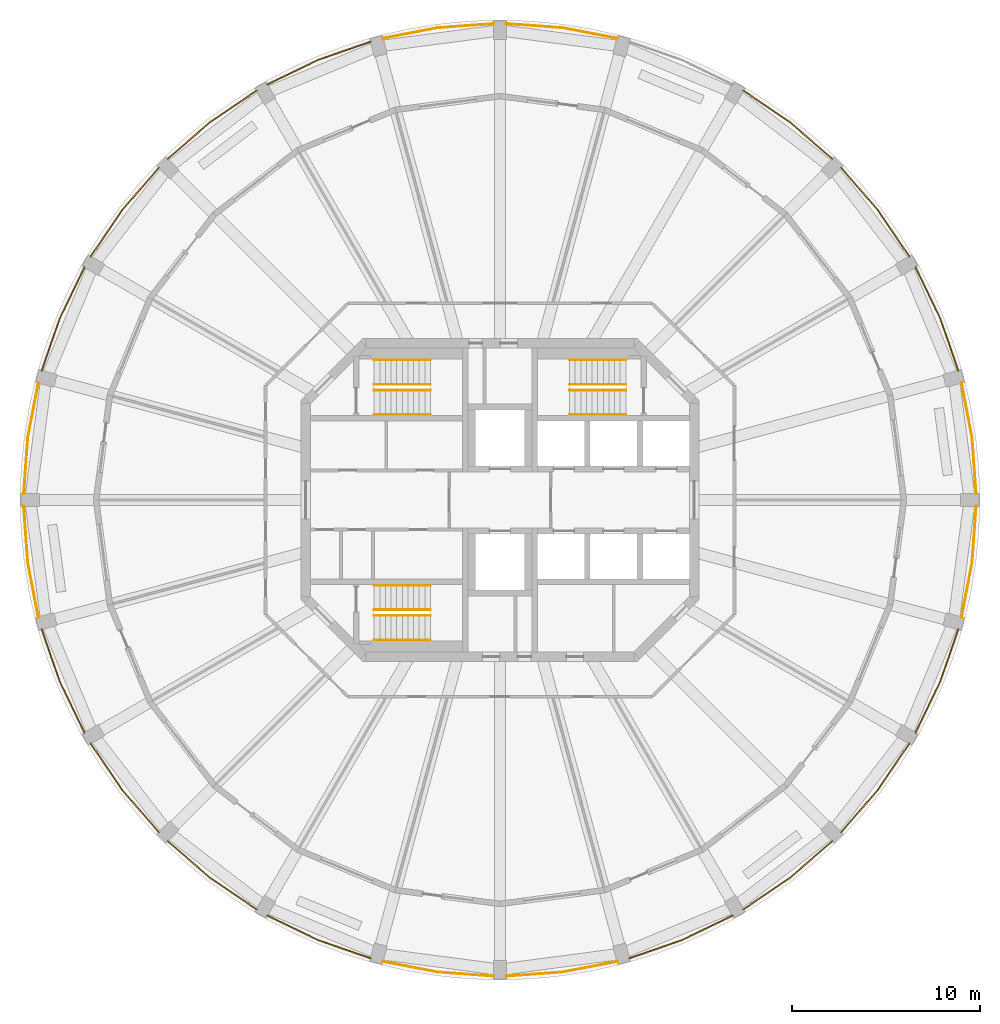
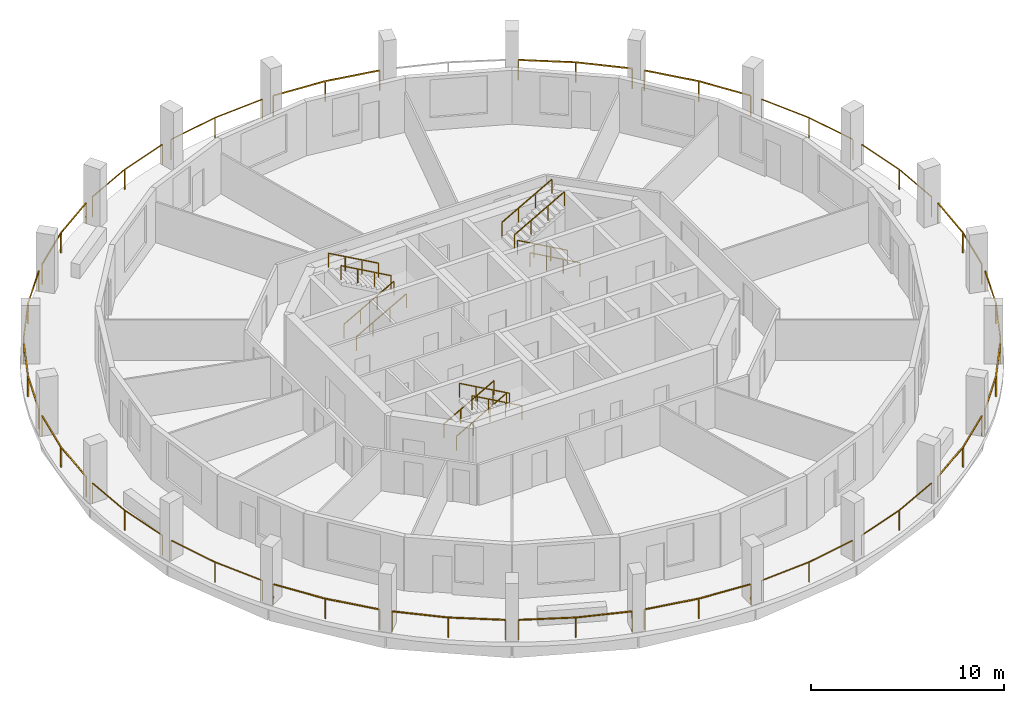
# One storey, part 7 of 8: 35 railings.
"""IFC4 building model written with IfcOpenShell, lengths in metres."""

from ifc_helpers import new_model, si_unit, direction, frame, origin, origin_2d, place, context, subcontext, project, spatial, rectangle, extrude, material, type_object, element, save


model = new_model("IFC4")

# Units and contexts
model_context = context("Model", 3, precision=1e-05, world=origin(), true_north=direction((0.0, 1.0)))
body_context = subcontext(model_context, "Body", "Model", "MODEL_VIEW")
ifc_project = project(units=[si_unit("LENGTHUNIT", "METRE"), si_unit("AREAUNIT", "SQUARE_METRE"), si_unit("VOLUMEUNIT", "CUBIC_METRE"), si_unit("PLANEANGLEUNIT", "RADIAN"), si_unit("MASSUNIT", "GRAM", prefix="KILO")], contexts=[model_context])

# Site, building, storey
site_placement = place(None, origin())
site = spatial("IfcSite", under=ifc_project, at=site_placement, CompositionType="ELEMENT")
building_placement = place(site_placement, origin())
building = spatial("IfcBuilding", under=site, at=building_placement, Name="Torre Triforio", CompositionType="ELEMENT")
storey_placement = place(building_placement, frame((0.0, 0.0, 283.39990234375)))
storey = spatial("IfcBuildingStorey", under=building, at=storey_placement, Name="L65", CompositionType="ELEMENT", Elevation=283.39990234375)

# Railings
ifc_material = material(Name="Stainless steel AISI 316", Category="steel")
railing_type_1 = type_object("IfcRailingType", Name="HANDRAIL 920", PredefinedType="HANDRAIL", material=ifc_material)
for number, where, name in (
    (1, (-6.699951171875, 4.550048828125, 0.168212890625), "Handrail ST1"),
    (2, (-6.699951171875, 5.85009765625, 0.168212890625), "Handrail ST1"),
):
    element("IfcRailing", number, at=place(storey_placement, frame(where)), inside=storey, type_object=railing_type_1, Name=name, PredefinedType="HANDRAIL", context=body_context, shape_type="SweptSolid", body=[
        extrude(rectangle(XDim=0.048095703125, YDim=0.048095703125, at=origin_2d()), frame((0.0, 0.0, 0.89599609375), z_axis=(0.872272294576, 0.0, 0.489020494575), x_axis=(0.0, 1.0, 0.0)), (0.0, 0.0, 1.0), 3.439208984375),
        extrude(rectangle(XDim=0.0419921875, YDim=0.0419921875, at=origin_2d()), origin(), (0.0, 0.0, 1.0), 0.871826171875),
        extrude(rectangle(XDim=0.0419921875, YDim=0.0419921875, at=origin_2d()), frame((1.0, 0.0, 0.560546875)), (0.0, 0.0, 1.0), 0.871826171875),
        extrude(rectangle(XDim=0.0419921875, YDim=0.0419921875, at=origin_2d()), frame((2.0, 0.0, 1.121337890625)), (0.0, 0.0, 1.0), 0.871826171875),
        extrude(rectangle(XDim=0.0419921875, YDim=0.0419921875, at=origin_2d()), frame((3.0, 0.0, 1.681884765625)), (0.0, 0.0, 1.0), 0.871826171875),
    ])
for number, where, name in (
    (3, (-3.699951171875, 7.449951171875, 2.018310546875), "Handrail ST1"),
    (4, (-3.699951171875, 6.14990234375, 2.018310546875), "Handrail ST1"),
    (5, (6.699951171875, 4.550048828125, 0.168212890625), "Handrail ST2"),
    (6, (6.699951171875, 5.85009765625, 0.168212890625), "Handrail ST2"),
):
    element("IfcRailing", number, at=place(storey_placement, frame(where)), inside=storey, type_object=railing_type_1, Name=name, PredefinedType="HANDRAIL", context=body_context, shape_type="SweptSolid", body=[
        extrude(rectangle(XDim=0.048095703125, YDim=0.048095703125, at=origin_2d()), frame((0.0, 0.0, 0.89599609375), z_axis=(-0.872272294576, 0.0, 0.489020494575), x_axis=(0.0, -1.0, 0.0)), (0.0, 0.0, 1.0), 3.439208984375),
        extrude(rectangle(XDim=0.0419921875, YDim=0.0419921875, at=origin_2d()), origin(), (0.0, 0.0, 1.0), 0.871826171875),
        extrude(rectangle(XDim=0.0419921875, YDim=0.0419921875, at=origin_2d()), frame((-1.0, 0.0, 0.560546875)), (0.0, 0.0, 1.0), 0.871826171875),
        extrude(rectangle(XDim=0.0419921875, YDim=0.0419921875, at=origin_2d()), frame((-2.0, 0.0, 1.121337890625)), (0.0, 0.0, 1.0), 0.871826171875),
        extrude(rectangle(XDim=0.0419921875, YDim=0.0419921875, at=origin_2d()), frame((-3.0, 0.0, 1.681884765625)), (0.0, 0.0, 1.0), 0.871826171875),
    ])
for number, where, name in (
    (7, (3.699951171875, 7.449951171875, 2.018310546875), "Handrail ST2"),
    (8, (3.699951171875, 6.14990234375, 2.018310546875), "Handrail ST2"),
    (9, (-6.699951171875, -4.550048828125, 0.168212890625), "Handrail ST3"),
    (10, (-6.699951171875, -5.85009765625, 0.168212890625), "Handrail ST3"),
):
    element("IfcRailing", number, at=place(storey_placement, frame(where)), inside=storey, type_object=railing_type_1, Name=name, PredefinedType="HANDRAIL", context=body_context, shape_type="SweptSolid", body=[
        extrude(rectangle(XDim=0.048095703125, YDim=0.048095703125, at=origin_2d()), frame((0.0, 0.0, 0.89599609375), z_axis=(0.872272294576, 0.0, 0.489020494575), x_axis=(0.0, 1.0, 0.0)), (0.0, 0.0, 1.0), 3.439208984375),
        extrude(rectangle(XDim=0.0419921875, YDim=0.0419921875, at=origin_2d()), origin(), (0.0, 0.0, 1.0), 0.871826171875),
        extrude(rectangle(XDim=0.0419921875, YDim=0.0419921875, at=origin_2d()), frame((1.0, 0.0, 0.560546875)), (0.0, 0.0, 1.0), 0.871826171875),
        extrude(rectangle(XDim=0.0419921875, YDim=0.0419921875, at=origin_2d()), frame((2.0, 0.0, 1.121337890625)), (0.0, 0.0, 1.0), 0.871826171875),
        extrude(rectangle(XDim=0.0419921875, YDim=0.0419921875, at=origin_2d()), frame((3.0, 0.0, 1.681884765625)), (0.0, 0.0, 1.0), 0.871826171875),
    ])
for number, where, name in (
    (11, (-3.699951171875, -7.449951171875, 2.018310546875), "Handrail ST3"),
    (12, (-3.699951171875, -6.14990234375, 2.018310546875), "Handrail ST3"),
):
    element("IfcRailing", number, at=place(storey_placement, frame(where)), inside=storey, type_object=railing_type_1, Name=name, PredefinedType="HANDRAIL", context=body_context, shape_type="SweptSolid", body=[
        extrude(rectangle(XDim=0.048095703125, YDim=0.048095703125, at=origin_2d()), frame((0.0, 0.0, 0.89599609375), z_axis=(-0.872272294576, 0.0, 0.489020494575), x_axis=(0.0, -1.0, 0.0)), (0.0, 0.0, 1.0), 3.439208984375),
        extrude(rectangle(XDim=0.0419921875, YDim=0.0419921875, at=origin_2d()), origin(), (0.0, 0.0, 1.0), 0.871826171875),
        extrude(rectangle(XDim=0.0419921875, YDim=0.0419921875, at=origin_2d()), frame((-1.0, 0.0, 0.560546875)), (0.0, 0.0, 1.0), 0.871826171875),
        extrude(rectangle(XDim=0.0419921875, YDim=0.0419921875, at=origin_2d()), frame((-2.0, 0.0, 1.121337890625)), (0.0, 0.0, 1.0), 0.871826171875),
        extrude(rectangle(XDim=0.0419921875, YDim=0.0419921875, at=origin_2d()), frame((-3.0, 0.0, 1.681884765625)), (0.0, 0.0, 1.0), 0.871826171875),
    ])
railing_type_2 = type_object("IfcRailingType", Name="Loggia guard 1300", PredefinedType="GUARDRAIL", material=ifc_material)
railing_1_placement = place(storey_placement, frame((25.35009765625, 0.320068359375, 0.0)))
element("IfcRailing", 13, at=railing_1_placement, inside=storey, type_object=railing_type_2, Name="Loggia guard L65 bay 01", PredefinedType="GUARDRAIL", context=body_context, shape_type="SweptSolid", body=[
    extrude(rectangle(XDim=0.050048828125, YDim=0.050048828125, at=origin_2d()), frame((0.0, 0.0, 1.27490234375), z_axis=(-0.072428129451, 0.997373634133, 0.0), x_axis=(-0.997373634133, -0.072428129451, 0.0)), (0.0, 0.0, 1.0), 2.99658203125),
    extrude(rectangle(XDim=0.050048828125, YDim=0.050048828125, at=origin_2d()), frame((-0.217041015625, 2.98876953125, 1.27490234375), z_axis=(-0.18819767745, 0.98213116955, 0.0), x_axis=(-0.98213116955, -0.18819767745, 0.0)), (0.0, 0.0, 1.0), 2.99658203125),
    extrude(rectangle(XDim=0.0400390625, YDim=0.0400390625, at=origin_2d()), origin(), (0.0, 0.0, 1.0), 1.25),
    extrude(rectangle(XDim=0.0400390625, YDim=0.0400390625, at=origin_2d()), frame((-0.217041015625, 2.98876953125, 0.0)), (0.0, 0.0, 1.0), 1.25),
    extrude(rectangle(XDim=0.0400390625, YDim=0.0400390625, at=origin_2d()), frame((-0.781005859375, 5.931884765625, 0.0)), (0.0, 0.0, 1.0), 1.25),
])
railing_2_placement = place(storey_placement, frame((24.4033203125, 6.8701171875, 0.0)))
element("IfcRailing", 14, at=railing_2_placement, inside=storey, type_object=railing_type_2, Name="Loggia guard L65 bay 02", PredefinedType="GUARDRAIL", context=body_context, shape_type="SweptSolid", body=[
    extrude(rectangle(XDim=0.050048828125, YDim=0.050048828125, at=origin_2d()), frame((0.0, 0.0, 1.27490234375), z_axis=(-0.328008659518, 0.944674716123, 0.0), x_axis=(-0.944674716123, -0.328008659518, 0.0)), (0.0, 0.0, 1.0), 2.99658203125),
    extrude(rectangle(XDim=0.050048828125, YDim=0.050048828125, at=origin_2d()), frame((-0.98291015625, 2.830810546875, 1.27490234375), z_axis=(-0.43600165335, 0.899945864081, 0.0), x_axis=(-0.899945864081, -0.43600165335, 0.0)), (0.0, 0.0, 1.0), 2.996826171875),
    extrude(rectangle(XDim=0.0400390625, YDim=0.0400390625, at=origin_2d()), origin(), (0.0, 0.0, 1.0), 1.25),
    extrude(rectangle(XDim=0.0400390625, YDim=0.0400390625, at=origin_2d()), frame((-0.98291015625, 2.830810546875, 0.0)), (0.0, 0.0, 1.0), 1.25),
    extrude(rectangle(XDim=0.0400390625, YDim=0.0400390625, at=origin_2d()), frame((-2.28955078125, 5.52783203125, 0.0)), (0.0, 0.0, 1.0), 1.25),
])
railing_3_placement = place(storey_placement, frame((21.793701171875, 12.9521484375, 0.0)))
element("IfcRailing", 15, at=railing_3_placement, inside=storey, type_object=railing_type_2, Name="Loggia guard L65 bay 03", PredefinedType="GUARDRAIL", context=body_context, shape_type="SweptSolid", body=[
    extrude(rectangle(XDim=0.050048828125, YDim=0.050048828125, at=origin_2d()), frame((0.0, 0.0, 1.27490234375), z_axis=(-0.561338037643, 0.82758661631, 0.0), x_axis=(-0.82758661631, -0.561338037643, 0.0)), (0.0, 0.0, 1.0), 2.99658203125),
    extrude(rectangle(XDim=0.050048828125, YDim=0.050048828125, at=origin_2d()), frame((-1.68212890625, 2.47998046875, 1.27490234375), z_axis=(-0.65409272915, 0.756414371673, 0.0), x_axis=(-0.756414371673, -0.65409272915, 0.0)), (0.0, 0.0, 1.0), 2.996826171875),
    extrude(rectangle(XDim=0.0400390625, YDim=0.0400390625, at=origin_2d()), origin(), (0.0, 0.0, 1.0), 1.25),
    extrude(rectangle(XDim=0.0400390625, YDim=0.0400390625, at=origin_2d()), frame((-1.68212890625, 2.47998046875, 0.0)), (0.0, 0.0, 1.0), 1.25),
    extrude(rectangle(XDim=0.0400390625, YDim=0.0400390625, at=origin_2d()), frame((-3.642333984375, 4.746826171875, 0.0)), (0.0, 0.0, 1.0), 1.25),
])
railing_4_placement = place(storey_placement, frame((17.698974609375, 18.1513671875, 0.0)))
element("IfcRailing", 16, at=railing_4_placement, inside=storey, type_object=railing_type_2, Name="Loggia guard L65 bay 04", PredefinedType="GUARDRAIL", context=body_context, shape_type="SweptSolid", body=[
    extrude(rectangle(XDim=0.050048828125, YDim=0.050048828125, at=origin_2d()), frame((0.0, 0.0, 1.27490234375), z_axis=(-0.756414371673, 0.65409272915, 0.0), x_axis=(-0.65409272915, -0.756414371673, 0.0)), (0.0, 0.0, 1.0), 2.996826171875),
    extrude(rectangle(XDim=0.050048828125, YDim=0.050048828125, at=origin_2d()), frame((-2.266845703125, 1.960205078125, 1.27490234375), z_axis=(-0.82758661631, 0.561338037643, 0.0), x_axis=(-0.561338037643, -0.82758661631, 0.0)), (0.0, 0.0, 1.0), 2.99658203125),
    extrude(rectangle(XDim=0.0400390625, YDim=0.0400390625, at=origin_2d()), origin(), (0.0, 0.0, 1.0), 1.25),
    extrude(rectangle(XDim=0.0400390625, YDim=0.0400390625, at=origin_2d()), frame((-2.266845703125, 1.960205078125, 0.0)), (0.0, 0.0, 1.0), 1.25),
    extrude(rectangle(XDim=0.0400390625, YDim=0.0400390625, at=origin_2d()), frame((-4.746826171875, 3.642333984375, 0.0)), (0.0, 0.0, 1.0), 1.25),
])
railing_5_placement = place(storey_placement, frame((6.251953125, 24.569091796875, 0.0)))
element("IfcRailing", 17, at=railing_5_placement, inside=storey, type_object=railing_type_2, Name="Loggia guard L65 bay 06", PredefinedType="GUARDRAIL", context=body_context, shape_type="SweptSolid", body=[
    extrude(rectangle(XDim=0.050048828125, YDim=0.050048828125, at=origin_2d()), frame((0.0, 0.0, 1.27490234375), z_axis=(-0.98213116955, 0.18819767745, 0.0), x_axis=(-0.18819767745, -0.98213116955, 0.0)), (0.0, 0.0, 1.0), 2.99658203125),
    extrude(rectangle(XDim=0.050048828125, YDim=0.050048828125, at=origin_2d()), frame((-2.943115234375, 0.56396484375, 1.27490234375), z_axis=(-0.997373634133, 0.072428129451, 0.0), x_axis=(-0.072428129451, -0.997373634133, 0.0)), (0.0, 0.0, 1.0), 2.99658203125),
    extrude(rectangle(XDim=0.0400390625, YDim=0.0400390625, at=origin_2d()), origin(), (0.0, 0.0, 1.0), 1.25),
    extrude(rectangle(XDim=0.0400390625, YDim=0.0400390625, at=origin_2d()), frame((-2.943115234375, 0.56396484375, 0.0)), (0.0, 0.0, 1.0), 1.25),
    extrude(rectangle(XDim=0.0400390625, YDim=0.0400390625, at=origin_2d()), frame((-5.931884765625, 0.781005859375, 0.0)), (0.0, 0.0, 1.0), 1.25),
])
railing_6_placement = place(storey_placement, frame((-0.320068359375, 25.35009765625, 0.0)))
element("IfcRailing", 18, at=railing_6_placement, inside=storey, type_object=railing_type_2, Name="Loggia guard L65 bay 07", PredefinedType="GUARDRAIL", context=body_context, shape_type="SweptSolid", body=[
    extrude(rectangle(XDim=0.050048828125, YDim=0.050048828125, at=origin_2d()), frame((0.0, 0.0, 1.27490234375), z_axis=(-0.997373634133, -0.072428129451, 0.0), x_axis=(0.072428129451, -0.997373634133, 0.0)), (0.0, 0.0, 1.0), 2.99658203125),
    extrude(rectangle(XDim=0.050048828125, YDim=0.050048828125, at=origin_2d()), frame((-2.98876953125, -0.217041015625, 1.27490234375), z_axis=(-0.98213116955, -0.18819767745, 0.0), x_axis=(0.18819767745, -0.98213116955, 0.0)), (0.0, 0.0, 1.0), 2.99658203125),
    extrude(rectangle(XDim=0.0400390625, YDim=0.0400390625, at=origin_2d()), origin(), (0.0, 0.0, 1.0), 1.25),
    extrude(rectangle(XDim=0.0400390625, YDim=0.0400390625, at=origin_2d()), frame((-2.98876953125, -0.217041015625, 0.0)), (0.0, 0.0, 1.0), 1.25),
    extrude(rectangle(XDim=0.0400390625, YDim=0.0400390625, at=origin_2d()), frame((-5.931884765625, -0.781005859375, 0.0)), (0.0, 0.0, 1.0), 1.25),
])
railing_7_placement = place(storey_placement, frame((-6.8701171875, 24.4033203125, 0.0)))
element("IfcRailing", 19, at=railing_7_placement, inside=storey, type_object=railing_type_2, Name="Loggia guard L65 bay 08", PredefinedType="GUARDRAIL", context=body_context, shape_type="SweptSolid", body=[
    extrude(rectangle(XDim=0.050048828125, YDim=0.050048828125, at=origin_2d()), frame((0.0, 0.0, 1.27490234375), z_axis=(-0.944674716123, -0.328008659518, 0.0), x_axis=(0.328008659518, -0.944674716123, 0.0)), (0.0, 0.0, 1.0), 2.99658203125),
    extrude(rectangle(XDim=0.050048828125, YDim=0.050048828125, at=origin_2d()), frame((-2.830810546875, -0.98291015625, 1.27490234375), z_axis=(-0.899945864081, -0.43600165335, 0.0), x_axis=(0.43600165335, -0.899945864081, 0.0)), (0.0, 0.0, 1.0), 2.996826171875),
    extrude(rectangle(XDim=0.0400390625, YDim=0.0400390625, at=origin_2d()), origin(), (0.0, 0.0, 1.0), 1.25),
    extrude(rectangle(XDim=0.0400390625, YDim=0.0400390625, at=origin_2d()), frame((-2.830810546875, -0.98291015625, 0.0)), (0.0, 0.0, 1.0), 1.25),
    extrude(rectangle(XDim=0.0400390625, YDim=0.0400390625, at=origin_2d()), frame((-5.52783203125, -2.28955078125, 0.0)), (0.0, 0.0, 1.0), 1.25),
])
railing_8_placement = place(storey_placement, frame((-12.9521484375, 21.793701171875, 0.0)))
element("IfcRailing", 20, at=railing_8_placement, inside=storey, type_object=railing_type_2, Name="Loggia guard L65 bay 09", PredefinedType="GUARDRAIL", context=body_context, shape_type="SweptSolid", body=[
    extrude(rectangle(XDim=0.050048828125, YDim=0.050048828125, at=origin_2d()), frame((0.0, 0.0, 1.27490234375), z_axis=(-0.82758661631, -0.561338037643, 0.0), x_axis=(0.561338037643, -0.82758661631, 0.0)), (0.0, 0.0, 1.0), 2.99658203125),
    extrude(rectangle(XDim=0.050048828125, YDim=0.050048828125, at=origin_2d()), frame((-2.47998046875, -1.68212890625, 1.27490234375), z_axis=(-0.756414371673, -0.65409272915, 0.0), x_axis=(0.65409272915, -0.756414371673, 0.0)), (0.0, 0.0, 1.0), 2.996826171875),
    extrude(rectangle(XDim=0.0400390625, YDim=0.0400390625, at=origin_2d()), origin(), (0.0, 0.0, 1.0), 1.25),
    extrude(rectangle(XDim=0.0400390625, YDim=0.0400390625, at=origin_2d()), frame((-2.47998046875, -1.68212890625, 0.0)), (0.0, 0.0, 1.0), 1.25),
    extrude(rectangle(XDim=0.0400390625, YDim=0.0400390625, at=origin_2d()), frame((-4.746826171875, -3.642333984375, 0.0)), (0.0, 0.0, 1.0), 1.25),
])
railing_9_placement = place(storey_placement, frame((-18.1513671875, 17.698974609375, 0.0)))
element("IfcRailing", 21, at=railing_9_placement, inside=storey, type_object=railing_type_2, Name="Loggia guard L65 bay 10", PredefinedType="GUARDRAIL", context=body_context, shape_type="SweptSolid", body=[
    extrude(rectangle(XDim=0.050048828125, YDim=0.050048828125, at=origin_2d()), frame((0.0, 0.0, 1.27490234375), z_axis=(-0.65409272915, -0.756414371673, 0.0), x_axis=(0.756414371673, -0.65409272915, 0.0)), (0.0, 0.0, 1.0), 2.996826171875),
    extrude(rectangle(XDim=0.050048828125, YDim=0.050048828125, at=origin_2d()), frame((-1.960205078125, -2.266845703125, 1.27490234375), z_axis=(-0.561338037643, -0.82758661631, 0.0), x_axis=(0.82758661631, -0.561338037643, 0.0)), (0.0, 0.0, 1.0), 2.99658203125),
    extrude(rectangle(XDim=0.0400390625, YDim=0.0400390625, at=origin_2d()), origin(), (0.0, 0.0, 1.0), 1.25),
    extrude(rectangle(XDim=0.0400390625, YDim=0.0400390625, at=origin_2d()), frame((-1.960205078125, -2.266845703125, 0.0)), (0.0, 0.0, 1.0), 1.25),
    extrude(rectangle(XDim=0.0400390625, YDim=0.0400390625, at=origin_2d()), frame((-3.642333984375, -4.746826171875, 0.0)), (0.0, 0.0, 1.0), 1.25),
])
railing_10_placement = place(storey_placement, frame((-22.11376953125, 12.39794921875, 0.0)))
element("IfcRailing", 22, at=railing_10_placement, inside=storey, type_object=railing_type_2, Name="Loggia guard L65 bay 11", PredefinedType="GUARDRAIL", context=body_context, shape_type="SweptSolid", body=[
    extrude(rectangle(XDim=0.050048828125, YDim=0.050048828125, at=origin_2d()), frame((0.0, 0.0, 1.27490234375), z_axis=(-0.43600165335, -0.899945864081, 0.0), x_axis=(0.899945864081, -0.43600165335, 0.0)), (0.0, 0.0, 1.0), 2.996826171875),
    extrude(rectangle(XDim=0.050048828125, YDim=0.050048828125, at=origin_2d()), frame((-1.306640625, -2.697021484375, 1.27490234375), z_axis=(-0.328008659518, -0.944674716123, 0.0), x_axis=(0.944674716123, -0.328008659518, 0.0)), (0.0, 0.0, 1.0), 2.99658203125),
    extrude(rectangle(XDim=0.0400390625, YDim=0.0400390625, at=origin_2d()), origin(), (0.0, 0.0, 1.0), 1.25),
    extrude(rectangle(XDim=0.0400390625, YDim=0.0400390625, at=origin_2d()), frame((-1.306640625, -2.697021484375, 0.0)), (0.0, 0.0, 1.0), 1.25),
    extrude(rectangle(XDim=0.0400390625, YDim=0.0400390625, at=origin_2d()), frame((-2.28955078125, -5.52783203125, 0.0)), (0.0, 0.0, 1.0), 1.25),
])
railing_11_placement = place(storey_placement, frame((-24.569091796875, 6.251953125, 0.0)))
element("IfcRailing", 23, at=railing_11_placement, inside=storey, type_object=railing_type_2, Name="Loggia guard L65 bay 12", PredefinedType="GUARDRAIL", context=body_context, shape_type="SweptSolid", body=[
    extrude(rectangle(XDim=0.050048828125, YDim=0.050048828125, at=origin_2d()), frame((0.0, 0.0, 1.27490234375), z_axis=(-0.18819767745, -0.98213116955, 0.0), x_axis=(0.98213116955, -0.18819767745, 0.0)), (0.0, 0.0, 1.0), 2.99658203125),
    extrude(rectangle(XDim=0.050048828125, YDim=0.050048828125, at=origin_2d()), frame((-0.56396484375, -2.943115234375, 1.27490234375), z_axis=(-0.072428129451, -0.997373634133, 0.0), x_axis=(0.997373634133, -0.072428129451, 0.0)), (0.0, 0.0, 1.0), 2.99658203125),
    extrude(rectangle(XDim=0.0400390625, YDim=0.0400390625, at=origin_2d()), origin(), (0.0, 0.0, 1.0), 1.25),
    extrude(rectangle(XDim=0.0400390625, YDim=0.0400390625, at=origin_2d()), frame((-0.56396484375, -2.943115234375, 0.0)), (0.0, 0.0, 1.0), 1.25),
    extrude(rectangle(XDim=0.0400390625, YDim=0.0400390625, at=origin_2d()), frame((-0.781005859375, -5.931884765625, 0.0)), (0.0, 0.0, 1.0), 1.25),
])
railing_12_placement = place(storey_placement, frame((-25.35009765625, -0.320068359375, 0.0)))
element("IfcRailing", 24, at=railing_12_placement, inside=storey, type_object=railing_type_2, Name="Loggia guard L65 bay 13", PredefinedType="GUARDRAIL", context=body_context, shape_type="SweptSolid", body=[
    extrude(rectangle(XDim=0.050048828125, YDim=0.050048828125, at=origin_2d()), frame((0.0, 0.0, 1.27490234375), z_axis=(0.072428129451, -0.997373634133, 0.0), x_axis=(0.997373634133, 0.072428129451, 0.0)), (0.0, 0.0, 1.0), 2.99658203125),
    extrude(rectangle(XDim=0.050048828125, YDim=0.050048828125, at=origin_2d()), frame((0.217041015625, -2.98876953125, 1.27490234375), z_axis=(0.18819767745, -0.98213116955, 0.0), x_axis=(0.98213116955, 0.18819767745, 0.0)), (0.0, 0.0, 1.0), 2.99658203125),
    extrude(rectangle(XDim=0.0400390625, YDim=0.0400390625, at=origin_2d()), origin(), (0.0, 0.0, 1.0), 1.25),
    extrude(rectangle(XDim=0.0400390625, YDim=0.0400390625, at=origin_2d()), frame((0.217041015625, -2.98876953125, 0.0)), (0.0, 0.0, 1.0), 1.25),
    extrude(rectangle(XDim=0.0400390625, YDim=0.0400390625, at=origin_2d()), frame((0.781005859375, -5.931884765625, 0.0)), (0.0, 0.0, 1.0), 1.25),
])
railing_13_placement = place(storey_placement, frame((-24.4033203125, -6.8701171875, 0.0)))
element("IfcRailing", 25, at=railing_13_placement, inside=storey, type_object=railing_type_2, Name="Loggia guard L65 bay 14", PredefinedType="GUARDRAIL", context=body_context, shape_type="SweptSolid", body=[
    extrude(rectangle(XDim=0.050048828125, YDim=0.050048828125, at=origin_2d()), frame((0.0, 0.0, 1.27490234375), z_axis=(0.328008659518, -0.944674716123, 0.0), x_axis=(0.944674716123, 0.328008659518, 0.0)), (0.0, 0.0, 1.0), 2.99658203125),
    extrude(rectangle(XDim=0.050048828125, YDim=0.050048828125, at=origin_2d()), frame((0.98291015625, -2.830810546875, 1.27490234375), z_axis=(0.43600165335, -0.899945864081, 0.0), x_axis=(0.899945864081, 0.43600165335, 0.0)), (0.0, 0.0, 1.0), 2.996826171875),
    extrude(rectangle(XDim=0.0400390625, YDim=0.0400390625, at=origin_2d()), origin(), (0.0, 0.0, 1.0), 1.25),
    extrude(rectangle(XDim=0.0400390625, YDim=0.0400390625, at=origin_2d()), frame((0.98291015625, -2.830810546875, 0.0)), (0.0, 0.0, 1.0), 1.25),
    extrude(rectangle(XDim=0.0400390625, YDim=0.0400390625, at=origin_2d()), frame((2.28955078125, -5.52783203125, 0.0)), (0.0, 0.0, 1.0), 1.25),
])
railing_14_placement = place(storey_placement, frame((-21.793701171875, -12.9521484375, 0.0)))
element("IfcRailing", 26, at=railing_14_placement, inside=storey, type_object=railing_type_2, Name="Loggia guard L65 bay 15", PredefinedType="GUARDRAIL", context=body_context, shape_type="SweptSolid", body=[
    extrude(rectangle(XDim=0.050048828125, YDim=0.050048828125, at=origin_2d()), frame((0.0, 0.0, 1.27490234375), z_axis=(0.561338037643, -0.82758661631, 0.0), x_axis=(0.82758661631, 0.561338037643, 0.0)), (0.0, 0.0, 1.0), 2.99658203125),
    extrude(rectangle(XDim=0.050048828125, YDim=0.050048828125, at=origin_2d()), frame((1.68212890625, -2.47998046875, 1.27490234375), z_axis=(0.65409272915, -0.756414371673, 0.0), x_axis=(0.756414371673, 0.65409272915, 0.0)), (0.0, 0.0, 1.0), 2.996826171875),
    extrude(rectangle(XDim=0.0400390625, YDim=0.0400390625, at=origin_2d()), origin(), (0.0, 0.0, 1.0), 1.25),
    extrude(rectangle(XDim=0.0400390625, YDim=0.0400390625, at=origin_2d()), frame((1.68212890625, -2.47998046875, 0.0)), (0.0, 0.0, 1.0), 1.25),
    extrude(rectangle(XDim=0.0400390625, YDim=0.0400390625, at=origin_2d()), frame((3.642333984375, -4.746826171875, 0.0)), (0.0, 0.0, 1.0), 1.25),
])
railing_15_placement = place(storey_placement, frame((-17.698974609375, -18.1513671875, 0.0)))
element("IfcRailing", 27, at=railing_15_placement, inside=storey, type_object=railing_type_2, Name="Loggia guard L65 bay 16", PredefinedType="GUARDRAIL", context=body_context, shape_type="SweptSolid", body=[
    extrude(rectangle(XDim=0.050048828125, YDim=0.050048828125, at=origin_2d()), frame((0.0, 0.0, 1.27490234375), z_axis=(0.756414371673, -0.65409272915, 0.0), x_axis=(0.65409272915, 0.756414371673, 0.0)), (0.0, 0.0, 1.0), 2.996826171875),
    extrude(rectangle(XDim=0.050048828125, YDim=0.050048828125, at=origin_2d()), frame((2.266845703125, -1.960205078125, 1.27490234375), z_axis=(0.82758661631, -0.561338037643, 0.0), x_axis=(0.561338037643, 0.82758661631, 0.0)), (0.0, 0.0, 1.0), 2.99658203125),
    extrude(rectangle(XDim=0.0400390625, YDim=0.0400390625, at=origin_2d()), origin(), (0.0, 0.0, 1.0), 1.25),
    extrude(rectangle(XDim=0.0400390625, YDim=0.0400390625, at=origin_2d()), frame((2.266845703125, -1.960205078125, 0.0)), (0.0, 0.0, 1.0), 1.25),
    extrude(rectangle(XDim=0.0400390625, YDim=0.0400390625, at=origin_2d()), frame((4.746826171875, -3.642333984375, 0.0)), (0.0, 0.0, 1.0), 1.25),
])
railing_16_placement = place(storey_placement, frame((-12.39794921875, -22.11376953125, 0.0)))
element("IfcRailing", 28, at=railing_16_placement, inside=storey, type_object=railing_type_2, Name="Loggia guard L65 bay 17", PredefinedType="GUARDRAIL", context=body_context, shape_type="SweptSolid", body=[
    extrude(rectangle(XDim=0.050048828125, YDim=0.050048828125, at=origin_2d()), frame((0.0, 0.0, 1.27490234375), z_axis=(0.899945864081, -0.43600165335, 0.0), x_axis=(0.43600165335, 0.899945864081, 0.0)), (0.0, 0.0, 1.0), 2.996826171875),
    extrude(rectangle(XDim=0.050048828125, YDim=0.050048828125, at=origin_2d()), frame((2.697021484375, -1.306640625, 1.27490234375), z_axis=(0.944674716123, -0.328008659518, 0.0), x_axis=(0.328008659518, 0.944674716123, 0.0)), (0.0, 0.0, 1.0), 2.99658203125),
    extrude(rectangle(XDim=0.0400390625, YDim=0.0400390625, at=origin_2d()), origin(), (0.0, 0.0, 1.0), 1.25),
    extrude(rectangle(XDim=0.0400390625, YDim=0.0400390625, at=origin_2d()), frame((2.697021484375, -1.306640625, 0.0)), (0.0, 0.0, 1.0), 1.25),
    extrude(rectangle(XDim=0.0400390625, YDim=0.0400390625, at=origin_2d()), frame((5.52783203125, -2.28955078125, 0.0)), (0.0, 0.0, 1.0), 1.25),
])
railing_17_placement = place(storey_placement, frame((-6.251953125, -24.569091796875, 0.0)))
element("IfcRailing", 29, at=railing_17_placement, inside=storey, type_object=railing_type_2, Name="Loggia guard L65 bay 18", PredefinedType="GUARDRAIL", context=body_context, shape_type="SweptSolid", body=[
    extrude(rectangle(XDim=0.050048828125, YDim=0.050048828125, at=origin_2d()), frame((0.0, 0.0, 1.27490234375), z_axis=(0.98213116955, -0.18819767745, 0.0), x_axis=(0.18819767745, 0.98213116955, 0.0)), (0.0, 0.0, 1.0), 2.99658203125),
    extrude(rectangle(XDim=0.050048828125, YDim=0.050048828125, at=origin_2d()), frame((2.943115234375, -0.56396484375, 1.27490234375), z_axis=(0.997373634133, -0.072428129451, 0.0), x_axis=(0.072428129451, 0.997373634133, 0.0)), (0.0, 0.0, 1.0), 2.99658203125),
    extrude(rectangle(XDim=0.0400390625, YDim=0.0400390625, at=origin_2d()), origin(), (0.0, 0.0, 1.0), 1.25),
    extrude(rectangle(XDim=0.0400390625, YDim=0.0400390625, at=origin_2d()), frame((2.943115234375, -0.56396484375, 0.0)), (0.0, 0.0, 1.0), 1.25),
    extrude(rectangle(XDim=0.0400390625, YDim=0.0400390625, at=origin_2d()), frame((5.931884765625, -0.781005859375, 0.0)), (0.0, 0.0, 1.0), 1.25),
])
railing_18_placement = place(storey_placement, frame((0.320068359375, -25.35009765625, 0.0)))
element("IfcRailing", 30, at=railing_18_placement, inside=storey, type_object=railing_type_2, Name="Loggia guard L65 bay 19", PredefinedType="GUARDRAIL", context=body_context, shape_type="SweptSolid", body=[
    extrude(rectangle(XDim=0.050048828125, YDim=0.050048828125, at=origin_2d()), frame((0.0, 0.0, 1.27490234375), z_axis=(0.997373634133, 0.072428129451, 0.0), x_axis=(-0.072428129451, 0.997373634133, 0.0)), (0.0, 0.0, 1.0), 2.99658203125),
    extrude(rectangle(XDim=0.050048828125, YDim=0.050048828125, at=origin_2d()), frame((2.98876953125, 0.217041015625, 1.27490234375), z_axis=(0.98213116955, 0.18819767745, 0.0), x_axis=(-0.18819767745, 0.98213116955, 0.0)), (0.0, 0.0, 1.0), 2.99658203125),
    extrude(rectangle(XDim=0.0400390625, YDim=0.0400390625, at=origin_2d()), origin(), (0.0, 0.0, 1.0), 1.25),
    extrude(rectangle(XDim=0.0400390625, YDim=0.0400390625, at=origin_2d()), frame((2.98876953125, 0.217041015625, 0.0)), (0.0, 0.0, 1.0), 1.25),
    extrude(rectangle(XDim=0.0400390625, YDim=0.0400390625, at=origin_2d()), frame((5.931884765625, 0.781005859375, 0.0)), (0.0, 0.0, 1.0), 1.25),
])
railing_19_placement = place(storey_placement, frame((6.8701171875, -24.4033203125, 0.0)))
element("IfcRailing", 31, at=railing_19_placement, inside=storey, type_object=railing_type_2, Name="Loggia guard L65 bay 20", PredefinedType="GUARDRAIL", context=body_context, shape_type="SweptSolid", body=[
    extrude(rectangle(XDim=0.050048828125, YDim=0.050048828125, at=origin_2d()), frame((0.0, 0.0, 1.27490234375), z_axis=(0.944674716123, 0.328008659518, 0.0), x_axis=(-0.328008659518, 0.944674716123, 0.0)), (0.0, 0.0, 1.0), 2.99658203125),
    extrude(rectangle(XDim=0.050048828125, YDim=0.050048828125, at=origin_2d()), frame((2.830810546875, 0.98291015625, 1.27490234375), z_axis=(0.899945864081, 0.43600165335, 0.0), x_axis=(-0.43600165335, 0.899945864081, 0.0)), (0.0, 0.0, 1.0), 2.996826171875),
    extrude(rectangle(XDim=0.0400390625, YDim=0.0400390625, at=origin_2d()), origin(), (0.0, 0.0, 1.0), 1.25),
    extrude(rectangle(XDim=0.0400390625, YDim=0.0400390625, at=origin_2d()), frame((2.830810546875, 0.98291015625, 0.0)), (0.0, 0.0, 1.0), 1.25),
    extrude(rectangle(XDim=0.0400390625, YDim=0.0400390625, at=origin_2d()), frame((5.52783203125, 2.28955078125, 0.0)), (0.0, 0.0, 1.0), 1.25),
])
railing_20_placement = place(storey_placement, frame((12.9521484375, -21.793701171875, 0.0)))
element("IfcRailing", 32, at=railing_20_placement, inside=storey, type_object=railing_type_2, Name="Loggia guard L65 bay 21", PredefinedType="GUARDRAIL", context=body_context, shape_type="SweptSolid", body=[
    extrude(rectangle(XDim=0.050048828125, YDim=0.050048828125, at=origin_2d()), frame((0.0, 0.0, 1.27490234375), z_axis=(0.82758661631, 0.561338037643, 0.0), x_axis=(-0.561338037643, 0.82758661631, 0.0)), (0.0, 0.0, 1.0), 2.99658203125),
    extrude(rectangle(XDim=0.050048828125, YDim=0.050048828125, at=origin_2d()), frame((2.47998046875, 1.68212890625, 1.27490234375), z_axis=(0.756414371673, 0.65409272915, 0.0), x_axis=(-0.65409272915, 0.756414371673, 0.0)), (0.0, 0.0, 1.0), 2.996826171875),
    extrude(rectangle(XDim=0.0400390625, YDim=0.0400390625, at=origin_2d()), origin(), (0.0, 0.0, 1.0), 1.25),
    extrude(rectangle(XDim=0.0400390625, YDim=0.0400390625, at=origin_2d()), frame((2.47998046875, 1.68212890625, 0.0)), (0.0, 0.0, 1.0), 1.25),
    extrude(rectangle(XDim=0.0400390625, YDim=0.0400390625, at=origin_2d()), frame((4.746826171875, 3.642333984375, 0.0)), (0.0, 0.0, 1.0), 1.25),
])
railing_21_placement = place(storey_placement, frame((18.1513671875, -17.698974609375, 0.0)))
element("IfcRailing", 33, at=railing_21_placement, inside=storey, type_object=railing_type_2, Name="Loggia guard L65 bay 22", PredefinedType="GUARDRAIL", context=body_context, shape_type="SweptSolid", body=[
    extrude(rectangle(XDim=0.050048828125, YDim=0.050048828125, at=origin_2d()), frame((0.0, 0.0, 1.27490234375), z_axis=(0.65409272915, 0.756414371673, 0.0), x_axis=(-0.756414371673, 0.65409272915, 0.0)), (0.0, 0.0, 1.0), 2.996826171875),
    extrude(rectangle(XDim=0.050048828125, YDim=0.050048828125, at=origin_2d()), frame((1.960205078125, 2.266845703125, 1.27490234375), z_axis=(0.561338037643, 0.82758661631, 0.0), x_axis=(-0.82758661631, 0.561338037643, 0.0)), (0.0, 0.0, 1.0), 2.99658203125),
    extrude(rectangle(XDim=0.0400390625, YDim=0.0400390625, at=origin_2d()), origin(), (0.0, 0.0, 1.0), 1.25),
    extrude(rectangle(XDim=0.0400390625, YDim=0.0400390625, at=origin_2d()), frame((1.960205078125, 2.266845703125, 0.0)), (0.0, 0.0, 1.0), 1.25),
    extrude(rectangle(XDim=0.0400390625, YDim=0.0400390625, at=origin_2d()), frame((3.642333984375, 4.746826171875, 0.0)), (0.0, 0.0, 1.0), 1.25),
])
railing_22_placement = place(storey_placement, frame((22.11376953125, -12.39794921875, 0.0)))
element("IfcRailing", 34, at=railing_22_placement, inside=storey, type_object=railing_type_2, Name="Loggia guard L65 bay 23", PredefinedType="GUARDRAIL", context=body_context, shape_type="SweptSolid", body=[
    extrude(rectangle(XDim=0.050048828125, YDim=0.050048828125, at=origin_2d()), frame((0.0, 0.0, 1.27490234375), z_axis=(0.43600165335, 0.899945864081, 0.0), x_axis=(-0.899945864081, 0.43600165335, 0.0)), (0.0, 0.0, 1.0), 2.996826171875),
    extrude(rectangle(XDim=0.050048828125, YDim=0.050048828125, at=origin_2d()), frame((1.306640625, 2.697021484375, 1.27490234375), z_axis=(0.328008659518, 0.944674716123, 0.0), x_axis=(-0.944674716123, 0.328008659518, 0.0)), (0.0, 0.0, 1.0), 2.99658203125),
    extrude(rectangle(XDim=0.0400390625, YDim=0.0400390625, at=origin_2d()), origin(), (0.0, 0.0, 1.0), 1.25),
    extrude(rectangle(XDim=0.0400390625, YDim=0.0400390625, at=origin_2d()), frame((1.306640625, 2.697021484375, 0.0)), (0.0, 0.0, 1.0), 1.25),
    extrude(rectangle(XDim=0.0400390625, YDim=0.0400390625, at=origin_2d()), frame((2.28955078125, 5.52783203125, 0.0)), (0.0, 0.0, 1.0), 1.25),
])
railing_23_placement = place(storey_placement, frame((24.569091796875, -6.251953125, 0.0)))
element("IfcRailing", 35, at=railing_23_placement, inside=storey, type_object=railing_type_2, Name="Loggia guard L65 bay 24", PredefinedType="GUARDRAIL", context=body_context, shape_type="SweptSolid", body=[
    extrude(rectangle(XDim=0.050048828125, YDim=0.050048828125, at=origin_2d()), frame((0.0, 0.0, 1.27490234375), z_axis=(0.18819767745, 0.98213116955, 0.0), x_axis=(-0.98213116955, 0.18819767745, 0.0)), (0.0, 0.0, 1.0), 2.99658203125),
    extrude(rectangle(XDim=0.050048828125, YDim=0.050048828125, at=origin_2d()), frame((0.56396484375, 2.943115234375, 1.27490234375), z_axis=(0.072428129451, 0.997373634133, 0.0), x_axis=(-0.997373634133, 0.072428129451, 0.0)), (0.0, 0.0, 1.0), 2.99658203125),
    extrude(rectangle(XDim=0.0400390625, YDim=0.0400390625, at=origin_2d()), origin(), (0.0, 0.0, 1.0), 1.25),
    extrude(rectangle(XDim=0.0400390625, YDim=0.0400390625, at=origin_2d()), frame((0.56396484375, 2.943115234375, 0.0)), (0.0, 0.0, 1.0), 1.25),
    extrude(rectangle(XDim=0.0400390625, YDim=0.0400390625, at=origin_2d()), frame((0.781005859375, 5.931884765625, 0.0)), (0.0, 0.0, 1.0), 1.25),
])

save(model, "model.ifc")
